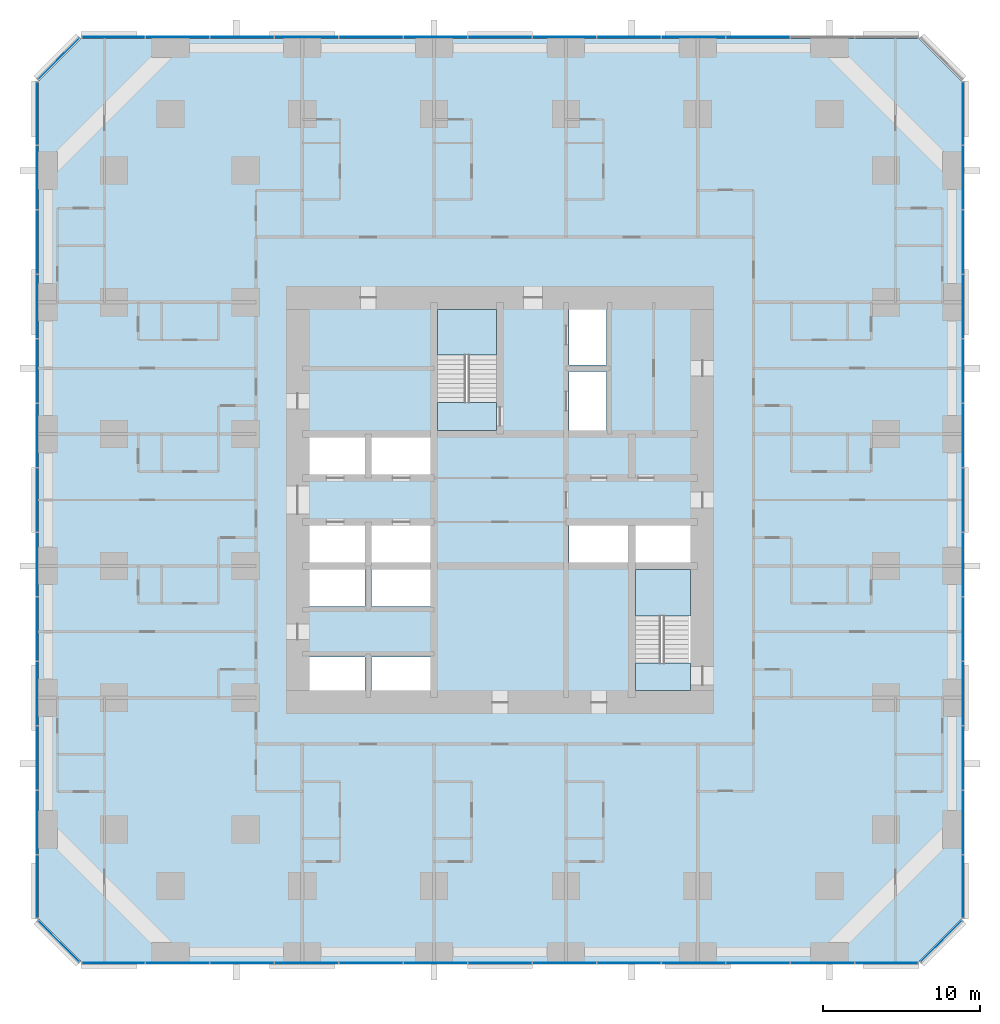
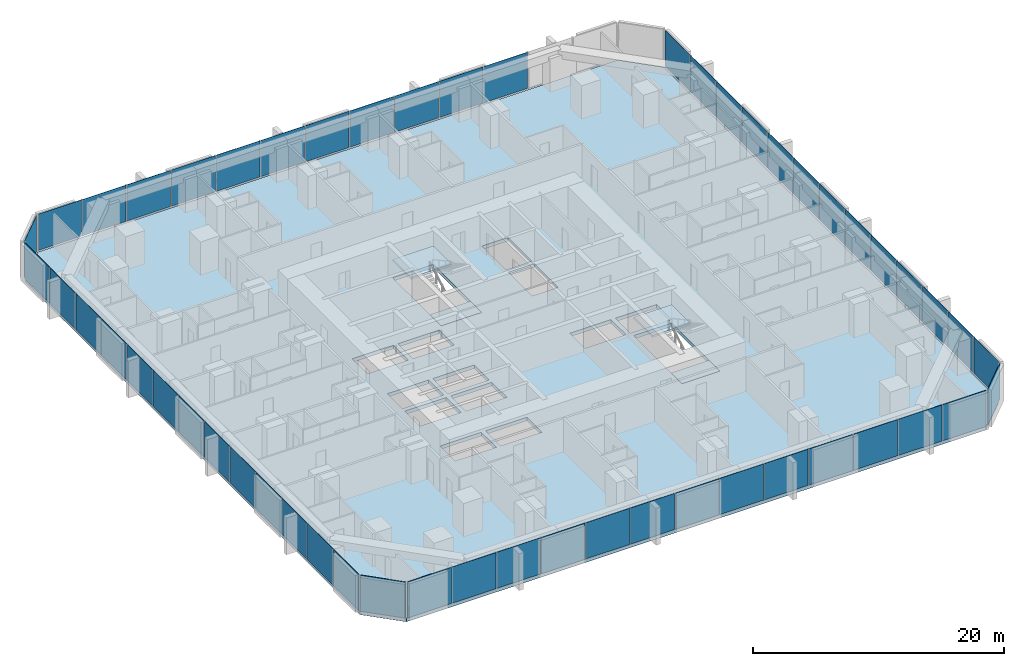
# One storey, part 9 of 17: 53 plates, 5 slabs, 9 elements without a shape of their own.
"""IFC4 building model written with IfcOpenShell, lengths in metres."""

from ifc_helpers import new_model, si_unit, direction, frame, origin, origin_2d, place, context, subcontext, project, spatial, polyline, rectangle, outline, extrude, material, layer, layer_set, type_object, element, aggregate, save


model = new_model("IFC4")

# Units and contexts
model_context = context("Model", 3, precision=1e-05, world=origin(), true_north=direction((0.0, 1.0)))
body_context = subcontext(model_context, "Body", "Model", "MODEL_VIEW")
ifc_project = project(units=[si_unit("LENGTHUNIT", "METRE"), si_unit("AREAUNIT", "SQUARE_METRE"), si_unit("VOLUMEUNIT", "CUBIC_METRE"), si_unit("PLANEANGLEUNIT", "RADIAN"), si_unit("MASSUNIT", "GRAM", prefix="KILO")], contexts=[model_context])

# Site, building, storey
site_placement = place(None, origin())
site = spatial("IfcSite", under=ifc_project, at=site_placement, CompositionType="ELEMENT")
building_placement = place(site_placement, origin())
building = spatial("IfcBuilding", under=site, at=building_placement, Name="Dunama Terrace Hotel", CompositionType="ELEMENT")
storey_placement = place(building_placement, frame((0.0, 0.0, 59.39990234375)))
storey = spatial("IfcBuildingStorey", under=building, at=storey_placement, Name="L14", CompositionType="ELEMENT", Elevation=59.39990234375)

# Curtain wall, plates
ifc_material_1 = material(Name="Aluminium curtain wall system", Category="aluminium")
curtain_wall_type = type_object("IfcCurtainWallType", Name="Unitised fritted glass wall CW-A", PredefinedType="NOTDEFINED", material=ifc_material_1)
curtain_wall_1_placement = place(storey_placement, origin())
curtain_wall_1 = element("IfcCurtainWall", 1, at=curtain_wall_1_placement, inside=storey, type_object=curtain_wall_type, Name="Unitised fritted glass wall CW-A L14", PredefinedType="NOTDEFINED")
ifc_material_2 = material(Name="Laminated glass", Category="glass")
ifc_layer_1 = layer(ifc_material_2, 0.030029296875)
ifc_layer_set_1 = layer_set([ifc_layer_1], Name="CWA clear glass panel")
plate_type_1 = type_object("IfcPlateType", Name="CWA clear glass panel", PredefinedType="CURTAIN_PANEL", material=ifc_layer_set_1)
plate_1_placement = place(storey_placement, frame((8.862060546875, -0.10009765625, 0.0751953125), z_axis=(0.0, 0.0, 1.0), x_axis=(1.0, 0.0, 0.0)))
plate_1 = element("IfcPlate", 2, at=plate_1_placement, type_object=plate_type_1, Name="CWA clear glass panel", PredefinedType="CURTAIN_PANEL", context=body_context, shape_type="SweptSolid", body=[
    extrude(rectangle(XDim=4.042724609375, YDim=0.030029296875, at=origin_2d()), origin(), (0.0, 0.0, 1.0), 3.52490234375),
])
plate_2_placement = place(storey_placement, frame((21.18505859375, -0.10009765625, 0.0751953125), z_axis=(0.0, 0.0, 1.0), x_axis=(1.0, 0.0, 0.0)))
plate_2 = element("IfcPlate", 3, at=plate_2_placement, type_object=plate_type_1, Name="CWA clear glass panel", PredefinedType="CURTAIN_PANEL", context=body_context, shape_type="SweptSolid", body=[
    extrude(rectangle(XDim=4.042724609375, YDim=0.030029296875, at=origin_2d()), origin(), (0.0, 0.0, 1.0), 3.52490234375),
])
plate_3_placement = place(storey_placement, frame((33.508056640625, -0.10009765625, 0.0751953125), z_axis=(0.0, 0.0, 1.0), x_axis=(1.0, 0.0, 0.0)))
plate_3 = element("IfcPlate", 4, at=plate_3_placement, type_object=plate_type_1, Name="CWA clear glass panel", PredefinedType="CURTAIN_PANEL", context=body_context, shape_type="SweptSolid", body=[
    extrude(rectangle(XDim=4.042724609375, YDim=0.030029296875, at=origin_2d()), origin(), (0.0, 0.0, 1.0), 3.52490234375),
])
plate_4_placement = place(storey_placement, frame((45.8310546875, -0.10009765625, 0.0751953125), z_axis=(0.0, 0.0, 1.0), x_axis=(1.0, 0.0, 0.0)))
plate_4 = element("IfcPlate", 5, at=plate_4_placement, type_object=plate_type_1, Name="CWA clear glass panel", PredefinedType="CURTAIN_PANEL", context=body_context, shape_type="SweptSolid", body=[
    extrude(rectangle(XDim=4.042724609375, YDim=0.030029296875, at=origin_2d()), origin(), (0.0, 0.0, 1.0), 3.52490234375),
])

# Curtain wall, plate
curtain_wall_2_placement = place(storey_placement, origin())
curtain_wall_2 = element("IfcCurtainWall", 6, at=curtain_wall_2_placement, inside=storey, type_object=curtain_wall_type, Name="Unitised fritted glass wall CW-A L14", PredefinedType="NOTDEFINED")
plate_5_placement = place(storey_placement, frame((57.52099609375, 1.279052734375, 0.0751953125), z_axis=(0.0, 0.0, 1.0), x_axis=(0.707106781187, 0.707106781187, 0.0)))
plate_5 = element("IfcPlate", 7, at=plate_5_placement, type_object=plate_type_1, Name="CWA clear glass panel", PredefinedType="CURTAIN_PANEL", context=body_context, shape_type="SweptSolid", body=[
    extrude(rectangle(XDim=3.6884765625, YDim=0.030029296875, at=origin_2d()), origin(), (0.0, 0.0, 1.0), 3.52490234375),
])
aggregate(curtain_wall_2, [plate_5])

# Curtain wall, plates
curtain_wall_3_placement = place(storey_placement, origin())
curtain_wall_3 = element("IfcCurtainWall", 8, at=curtain_wall_3_placement, inside=storey, type_object=curtain_wall_type, Name="Unitised fritted glass wall CW-A L14", PredefinedType="NOTDEFINED")
plate_6_placement = place(storey_placement, frame((58.89990234375, 12.968994140625, 0.0751953125), z_axis=(0.0, 0.0, 1.0), x_axis=(0.0, 1.0, 0.0)))
plate_6 = element("IfcPlate", 9, at=plate_6_placement, type_object=plate_type_1, Name="CWA clear glass panel", PredefinedType="CURTAIN_PANEL", context=body_context, shape_type="SweptSolid", body=[
    extrude(rectangle(XDim=4.042724609375, YDim=0.030029296875, at=origin_2d()), origin(), (0.0, 0.0, 1.0), 3.52490234375),
])
plate_7_placement = place(storey_placement, frame((58.89990234375, 25.2919921875, 0.0751953125), z_axis=(0.0, 0.0, 1.0), x_axis=(0.0, 1.0, 0.0)))
plate_7 = element("IfcPlate", 10, at=plate_7_placement, type_object=plate_type_1, Name="CWA clear glass panel", PredefinedType="CURTAIN_PANEL", context=body_context, shape_type="SweptSolid", body=[
    extrude(rectangle(XDim=4.042724609375, YDim=0.030029296875, at=origin_2d()), origin(), (0.0, 0.0, 1.0), 3.52490234375),
])
plate_8_placement = place(storey_placement, frame((58.89990234375, 37.614990234375, 0.0751953125), z_axis=(0.0, 0.0, 1.0), x_axis=(0.0, 1.0, 0.0)))
plate_8 = element("IfcPlate", 11, at=plate_8_placement, type_object=plate_type_1, Name="CWA clear glass panel", PredefinedType="CURTAIN_PANEL", context=body_context, shape_type="SweptSolid", body=[
    extrude(rectangle(XDim=4.042724609375, YDim=0.030029296875, at=origin_2d()), origin(), (0.0, 0.0, 1.0), 3.52490234375),
])
plate_9_placement = place(storey_placement, frame((58.89990234375, 49.93798828125, 0.0751953125), z_axis=(0.0, 0.0, 1.0), x_axis=(0.0, 1.0, 0.0)))
plate_9 = element("IfcPlate", 12, at=plate_9_placement, type_object=plate_type_1, Name="CWA clear glass panel", PredefinedType="CURTAIN_PANEL", context=body_context, shape_type="SweptSolid", body=[
    extrude(rectangle(XDim=4.042724609375, YDim=0.030029296875, at=origin_2d()), origin(), (0.0, 0.0, 1.0), 3.52490234375),
])

curtain_wall_4_placement = place(storey_placement, origin())
curtain_wall_4 = element("IfcCurtainWall", 13, at=curtain_wall_4_placement, inside=storey, type_object=curtain_wall_type, Name="Unitised fritted glass wall CW-A L14", PredefinedType="NOTDEFINED")
plate_10_placement = place(storey_placement, frame((41.722900390625, 58.89990234375, 0.0751953125), z_axis=(0.0, 0.0, 1.0), x_axis=(-1.0, 0.0, 0.0)))
plate_10 = element("IfcPlate", 14, at=plate_10_placement, type_object=plate_type_1, Name="CWA clear glass panel", PredefinedType="CURTAIN_PANEL", context=body_context, shape_type="SweptSolid", body=[
    extrude(rectangle(XDim=4.042724609375, YDim=0.030029296875, at=origin_2d()), origin(), (0.0, 0.0, 1.0), 3.52490234375),
])
plate_11_placement = place(storey_placement, frame((29.39990234375, 58.89990234375, 0.0751953125), z_axis=(0.0, 0.0, 1.0), x_axis=(-1.0, 0.0, 0.0)))
plate_11 = element("IfcPlate", 15, at=plate_11_placement, type_object=plate_type_1, Name="CWA clear glass panel", PredefinedType="CURTAIN_PANEL", context=body_context, shape_type="SweptSolid", body=[
    extrude(rectangle(XDim=4.042724609375, YDim=0.030029296875, at=origin_2d()), origin(), (0.0, 0.0, 1.0), 3.52490234375),
])
plate_12_placement = place(storey_placement, frame((17.076904296875, 58.89990234375, 0.0751953125), z_axis=(0.0, 0.0, 1.0), x_axis=(-1.0, 0.0, 0.0)))
plate_12 = element("IfcPlate", 16, at=plate_12_placement, type_object=plate_type_1, Name="CWA clear glass panel", PredefinedType="CURTAIN_PANEL", context=body_context, shape_type="SweptSolid", body=[
    extrude(rectangle(XDim=4.042724609375, YDim=0.030029296875, at=origin_2d()), origin(), (0.0, 0.0, 1.0), 3.52490234375),
])
plate_13_placement = place(storey_placement, frame((4.77001953125, 58.89990234375, 0.0751953125), z_axis=(0.0, 0.0, 1.0), x_axis=(-1.0, 0.0, 0.0)))
plate_13 = element("IfcPlate", 17, at=plate_13_placement, type_object=plate_type_1, Name="CWA clear glass panel", PredefinedType="CURTAIN_PANEL", context=body_context, shape_type="SweptSolid", body=[
    extrude(rectangle(XDim=4.01025390625, YDim=0.030029296875, at=origin_2d()), origin(), (0.0, 0.0, 1.0), 3.52490234375),
])

curtain_wall_5_placement = place(storey_placement, origin())
curtain_wall_5 = element("IfcCurtainWall", 18, at=curtain_wall_5_placement, inside=storey, type_object=curtain_wall_type, Name="Unitised fritted glass wall CW-A L14", PredefinedType="NOTDEFINED")
plate_14_placement = place(storey_placement, frame((-0.10009765625, 49.93798828125, 0.0751953125), z_axis=(0.0, 0.0, 1.0), x_axis=(0.0, -1.0, 0.0)))
plate_14 = element("IfcPlate", 19, at=plate_14_placement, type_object=plate_type_1, Name="CWA clear glass panel", PredefinedType="CURTAIN_PANEL", context=body_context, shape_type="SweptSolid", body=[
    extrude(rectangle(XDim=4.042724609375, YDim=0.030029296875, at=origin_2d()), origin(), (0.0, 0.0, 1.0), 3.52490234375),
])
plate_15_placement = place(storey_placement, frame((-0.10009765625, 37.614990234375, 0.0751953125), z_axis=(0.0, 0.0, 1.0), x_axis=(0.0, -1.0, 0.0)))
plate_15 = element("IfcPlate", 20, at=plate_15_placement, type_object=plate_type_1, Name="CWA clear glass panel", PredefinedType="CURTAIN_PANEL", context=body_context, shape_type="SweptSolid", body=[
    extrude(rectangle(XDim=4.042724609375, YDim=0.030029296875, at=origin_2d()), origin(), (0.0, 0.0, 1.0), 3.52490234375),
])
plate_16_placement = place(storey_placement, frame((-0.10009765625, 25.2919921875, 0.0751953125), z_axis=(0.0, 0.0, 1.0), x_axis=(0.0, -1.0, 0.0)))
plate_16 = element("IfcPlate", 21, at=plate_16_placement, type_object=plate_type_1, Name="CWA clear glass panel", PredefinedType="CURTAIN_PANEL", context=body_context, shape_type="SweptSolid", body=[
    extrude(rectangle(XDim=4.042724609375, YDim=0.030029296875, at=origin_2d()), origin(), (0.0, 0.0, 1.0), 3.52490234375),
])
plate_17_placement = place(storey_placement, frame((-0.10009765625, 12.968994140625, 0.0751953125), z_axis=(0.0, 0.0, 1.0), x_axis=(0.0, -1.0, 0.0)))
plate_17 = element("IfcPlate", 22, at=plate_17_placement, type_object=plate_type_1, Name="CWA clear glass panel", PredefinedType="CURTAIN_PANEL", context=body_context, shape_type="SweptSolid", body=[
    extrude(rectangle(XDim=4.042724609375, YDim=0.030029296875, at=origin_2d()), origin(), (0.0, 0.0, 1.0), 3.52490234375),
])

# Curtain wall, plate
curtain_wall_6_placement = place(storey_placement, origin())
curtain_wall_6 = element("IfcCurtainWall", 23, at=curtain_wall_6_placement, inside=storey, type_object=curtain_wall_type, Name="Unitised fritted glass wall CW-A L14", PredefinedType="NOTDEFINED")
plate_18_placement = place(storey_placement, frame((1.279052734375, 1.279052734375, 0.0751953125), z_axis=(0.0, 0.0, 1.0), x_axis=(0.707106781187, -0.707106781187, 0.0)))
plate_18 = element("IfcPlate", 24, at=plate_18_placement, type_object=plate_type_1, Name="CWA clear glass panel", PredefinedType="CURTAIN_PANEL", context=body_context, shape_type="SweptSolid", body=[
    extrude(rectangle(XDim=3.6884765625, YDim=0.030029296875, at=origin_2d()), origin(), (0.0, 0.0, 1.0), 3.52490234375),
])
aggregate(curtain_wall_6, [plate_18])

# Plate
ifc_material_3 = material(Name="Fritted laminated glass", Category="glass")
ifc_layer_2 = layer(ifc_material_3, 0.030029296875)
ifc_layer_set_2 = layer_set([ifc_layer_2], Name="CWA fritted glass panel")
plate_type_2 = type_object("IfcPlateType", Name="CWA fritted glass panel", PredefinedType="CURTAIN_PANEL", material=ifc_layer_set_2)
plate_19_placement = place(storey_placement, frame((4.77001953125, -0.10009765625, 0.0751953125), z_axis=(0.0, 0.0, 1.0), x_axis=(1.0, 0.0, 0.0)))
plate_19 = element("IfcPlate", 25, at=plate_19_placement, type_object=plate_type_2, Name="CWA fritted glass panel", PredefinedType="CURTAIN_PANEL", context=body_context, shape_type="SweptSolid", body=[
    extrude(rectangle(XDim=4.01025390625, YDim=0.030029296875, at=origin_2d()), origin(), (0.0, 0.0, 1.0), 3.52490234375),
])

plate_20_placement = place(storey_placement, frame((17.076904296875, -0.10009765625, 0.0751953125), z_axis=(0.0, 0.0, 1.0), x_axis=(1.0, 0.0, 0.0)))
plate_20 = element("IfcPlate", 26, at=plate_20_placement, type_object=plate_type_2, Name="CWA fritted glass panel", PredefinedType="CURTAIN_PANEL", context=body_context, shape_type="SweptSolid", body=[
    extrude(rectangle(XDim=4.042724609375, YDim=0.030029296875, at=origin_2d()), origin(), (0.0, 0.0, 1.0), 3.52490234375),
])

plate_21_placement = place(storey_placement, frame((29.39990234375, -0.10009765625, 0.0751953125), z_axis=(0.0, 0.0, 1.0), x_axis=(1.0, 0.0, 0.0)))
plate_21 = element("IfcPlate", 27, at=plate_21_placement, type_object=plate_type_2, Name="CWA fritted glass panel", PredefinedType="CURTAIN_PANEL", context=body_context, shape_type="SweptSolid", body=[
    extrude(rectangle(XDim=4.042724609375, YDim=0.030029296875, at=origin_2d()), origin(), (0.0, 0.0, 1.0), 3.52490234375),
])

plate_22_placement = place(storey_placement, frame((41.722900390625, -0.10009765625, 0.0751953125), z_axis=(0.0, 0.0, 1.0), x_axis=(1.0, 0.0, 0.0)))
plate_22 = element("IfcPlate", 28, at=plate_22_placement, type_object=plate_type_2, Name="CWA fritted glass panel", PredefinedType="CURTAIN_PANEL", context=body_context, shape_type="SweptSolid", body=[
    extrude(rectangle(XDim=4.042724609375, YDim=0.030029296875, at=origin_2d()), origin(), (0.0, 0.0, 1.0), 3.52490234375),
])

plate_23_placement = place(storey_placement, frame((54.030029296875, -0.10009765625, 0.0751953125), z_axis=(0.0, 0.0, 1.0), x_axis=(1.0, 0.0, 0.0)))
plate_23 = element("IfcPlate", 29, at=plate_23_placement, type_object=plate_type_2, Name="CWA fritted glass panel", PredefinedType="CURTAIN_PANEL", context=body_context, shape_type="SweptSolid", body=[
    extrude(rectangle(XDim=4.01025390625, YDim=0.030029296875, at=origin_2d()), origin(), (0.0, 0.0, 1.0), 3.52490234375),
])

plate_24_placement = place(storey_placement, frame((58.89990234375, 8.862060546875, 0.0751953125), z_axis=(0.0, 0.0, 1.0), x_axis=(0.0, 1.0, 0.0)))
plate_24 = element("IfcPlate", 30, at=plate_24_placement, type_object=plate_type_2, Name="CWA fritted glass panel", PredefinedType="CURTAIN_PANEL", context=body_context, shape_type="SweptSolid", body=[
    extrude(rectangle(XDim=4.042724609375, YDim=0.030029296875, at=origin_2d()), origin(), (0.0, 0.0, 1.0), 3.52490234375),
])

plate_25_placement = place(storey_placement, frame((58.89990234375, 21.18505859375, 0.0751953125), z_axis=(0.0, 0.0, 1.0), x_axis=(0.0, 1.0, 0.0)))
plate_25 = element("IfcPlate", 31, at=plate_25_placement, type_object=plate_type_2, Name="CWA fritted glass panel", PredefinedType="CURTAIN_PANEL", context=body_context, shape_type="SweptSolid", body=[
    extrude(rectangle(XDim=4.042724609375, YDim=0.030029296875, at=origin_2d()), origin(), (0.0, 0.0, 1.0), 3.52490234375),
])

plate_26_placement = place(storey_placement, frame((58.89990234375, 33.508056640625, 0.0751953125), z_axis=(0.0, 0.0, 1.0), x_axis=(0.0, 1.0, 0.0)))
plate_26 = element("IfcPlate", 32, at=plate_26_placement, type_object=plate_type_2, Name="CWA fritted glass panel", PredefinedType="CURTAIN_PANEL", context=body_context, shape_type="SweptSolid", body=[
    extrude(rectangle(XDim=4.042724609375, YDim=0.030029296875, at=origin_2d()), origin(), (0.0, 0.0, 1.0), 3.52490234375),
])

plate_27_placement = place(storey_placement, frame((58.89990234375, 45.8310546875, 0.0751953125), z_axis=(0.0, 0.0, 1.0), x_axis=(0.0, 1.0, 0.0)))
plate_27 = element("IfcPlate", 33, at=plate_27_placement, type_object=plate_type_2, Name="CWA fritted glass panel", PredefinedType="CURTAIN_PANEL", context=body_context, shape_type="SweptSolid", body=[
    extrude(rectangle(XDim=4.042724609375, YDim=0.030029296875, at=origin_2d()), origin(), (0.0, 0.0, 1.0), 3.52490234375),
])

plate_28_placement = place(storey_placement, frame((45.8310546875, 58.89990234375, 0.0751953125), z_axis=(0.0, 0.0, 1.0), x_axis=(-1.0, 0.0, 0.0)))
plate_28 = element("IfcPlate", 34, at=plate_28_placement, type_object=plate_type_2, Name="CWA fritted glass panel", PredefinedType="CURTAIN_PANEL", context=body_context, shape_type="SweptSolid", body=[
    extrude(rectangle(XDim=4.042724609375, YDim=0.030029296875, at=origin_2d()), origin(), (0.0, 0.0, 1.0), 3.52490234375),
])

plate_29_placement = place(storey_placement, frame((33.508056640625, 58.89990234375, 0.0751953125), z_axis=(0.0, 0.0, 1.0), x_axis=(-1.0, 0.0, 0.0)))
plate_29 = element("IfcPlate", 35, at=plate_29_placement, type_object=plate_type_2, Name="CWA fritted glass panel", PredefinedType="CURTAIN_PANEL", context=body_context, shape_type="SweptSolid", body=[
    extrude(rectangle(XDim=4.042724609375, YDim=0.030029296875, at=origin_2d()), origin(), (0.0, 0.0, 1.0), 3.52490234375),
])

plate_30_placement = place(storey_placement, frame((21.18505859375, 58.89990234375, 0.0751953125), z_axis=(0.0, 0.0, 1.0), x_axis=(-1.0, 0.0, 0.0)))
plate_30 = element("IfcPlate", 36, at=plate_30_placement, type_object=plate_type_2, Name="CWA fritted glass panel", PredefinedType="CURTAIN_PANEL", context=body_context, shape_type="SweptSolid", body=[
    extrude(rectangle(XDim=4.042724609375, YDim=0.030029296875, at=origin_2d()), origin(), (0.0, 0.0, 1.0), 3.52490234375),
])

plate_31_placement = place(storey_placement, frame((8.862060546875, 58.89990234375, 0.0751953125), z_axis=(0.0, 0.0, 1.0), x_axis=(-1.0, 0.0, 0.0)))
plate_31 = element("IfcPlate", 37, at=plate_31_placement, type_object=plate_type_2, Name="CWA fritted glass panel", PredefinedType="CURTAIN_PANEL", context=body_context, shape_type="SweptSolid", body=[
    extrude(rectangle(XDim=4.042724609375, YDim=0.030029296875, at=origin_2d()), origin(), (0.0, 0.0, 1.0), 3.52490234375),
])

plate_32_placement = place(storey_placement, frame((-0.10009765625, 54.030029296875, 0.0751953125), z_axis=(0.0, 0.0, 1.0), x_axis=(0.0, -1.0, 0.0)))
plate_32 = element("IfcPlate", 38, at=plate_32_placement, type_object=plate_type_2, Name="CWA fritted glass panel", PredefinedType="CURTAIN_PANEL", context=body_context, shape_type="SweptSolid", body=[
    extrude(rectangle(XDim=4.01025390625, YDim=0.030029296875, at=origin_2d()), origin(), (0.0, 0.0, 1.0), 3.52490234375),
])

plate_33_placement = place(storey_placement, frame((-0.10009765625, 41.722900390625, 0.0751953125), z_axis=(0.0, 0.0, 1.0), x_axis=(0.0, -1.0, 0.0)))
plate_33 = element("IfcPlate", 39, at=plate_33_placement, type_object=plate_type_2, Name="CWA fritted glass panel", PredefinedType="CURTAIN_PANEL", context=body_context, shape_type="SweptSolid", body=[
    extrude(rectangle(XDim=4.042724609375, YDim=0.030029296875, at=origin_2d()), origin(), (0.0, 0.0, 1.0), 3.52490234375),
])

plate_34_placement = place(storey_placement, frame((-0.10009765625, 29.39990234375, 0.0751953125), z_axis=(0.0, 0.0, 1.0), x_axis=(0.0, -1.0, 0.0)))
plate_34 = element("IfcPlate", 40, at=plate_34_placement, type_object=plate_type_2, Name="CWA fritted glass panel", PredefinedType="CURTAIN_PANEL", context=body_context, shape_type="SweptSolid", body=[
    extrude(rectangle(XDim=4.042724609375, YDim=0.030029296875, at=origin_2d()), origin(), (0.0, 0.0, 1.0), 3.52490234375),
])

plate_35_placement = place(storey_placement, frame((-0.10009765625, 17.076904296875, 0.0751953125), z_axis=(0.0, 0.0, 1.0), x_axis=(0.0, -1.0, 0.0)))
plate_35 = element("IfcPlate", 41, at=plate_35_placement, type_object=plate_type_2, Name="CWA fritted glass panel", PredefinedType="CURTAIN_PANEL", context=body_context, shape_type="SweptSolid", body=[
    extrude(rectangle(XDim=4.042724609375, YDim=0.030029296875, at=origin_2d()), origin(), (0.0, 0.0, 1.0), 3.52490234375),
])

plate_36_placement = place(storey_placement, frame((-0.10009765625, 4.77001953125, 0.0751953125), z_axis=(0.0, 0.0, 1.0), x_axis=(0.0, -1.0, 0.0)))
plate_36 = element("IfcPlate", 42, at=plate_36_placement, type_object=plate_type_2, Name="CWA fritted glass panel", PredefinedType="CURTAIN_PANEL", context=body_context, shape_type="SweptSolid", body=[
    extrude(rectangle(XDim=4.01025390625, YDim=0.030029296875, at=origin_2d()), origin(), (0.0, 0.0, 1.0), 3.52490234375),
])

ifc_material_4 = material(Name="Laminated glass", Category="glass")
ifc_layer_3 = layer(ifc_material_4, 0.030029296875)
ifc_layer_set_3 = layer_set([ifc_layer_3], Name="CWA operable glass panel")
plate_type_3 = type_object("IfcPlateType", Name="CWA operable glass panel", PredefinedType="CURTAIN_PANEL", material=ifc_layer_set_3)
plate_37_placement = place(storey_placement, frame((12.968994140625, -0.10009765625, 0.0751953125), z_axis=(0.0, 0.0, 1.0), x_axis=(1.0, 0.0, 0.0)))
plate_37 = element("IfcPlate", 43, at=plate_37_placement, type_object=plate_type_3, Name="CWA operable glass panel", PredefinedType="CURTAIN_PANEL", context=body_context, shape_type="SweptSolid", body=[
    extrude(rectangle(XDim=4.042724609375, YDim=0.030029296875, at=origin_2d()), origin(), (0.0, 0.0, 1.0), 3.52490234375),
])

plate_38_placement = place(storey_placement, frame((25.2919921875, -0.10009765625, 0.0751953125), z_axis=(0.0, 0.0, 1.0), x_axis=(1.0, 0.0, 0.0)))
plate_38 = element("IfcPlate", 44, at=plate_38_placement, type_object=plate_type_3, Name="CWA operable glass panel", PredefinedType="CURTAIN_PANEL", context=body_context, shape_type="SweptSolid", body=[
    extrude(rectangle(XDim=4.042724609375, YDim=0.030029296875, at=origin_2d()), origin(), (0.0, 0.0, 1.0), 3.52490234375),
])

plate_39_placement = place(storey_placement, frame((37.614990234375, -0.10009765625, 0.0751953125), z_axis=(0.0, 0.0, 1.0), x_axis=(1.0, 0.0, 0.0)))
plate_39 = element("IfcPlate", 45, at=plate_39_placement, type_object=plate_type_3, Name="CWA operable glass panel", PredefinedType="CURTAIN_PANEL", context=body_context, shape_type="SweptSolid", body=[
    extrude(rectangle(XDim=4.042724609375, YDim=0.030029296875, at=origin_2d()), origin(), (0.0, 0.0, 1.0), 3.52490234375),
])

plate_40_placement = place(storey_placement, frame((49.93798828125, -0.10009765625, 0.0751953125), z_axis=(0.0, 0.0, 1.0), x_axis=(1.0, 0.0, 0.0)))
plate_40 = element("IfcPlate", 46, at=plate_40_placement, type_object=plate_type_3, Name="CWA operable glass panel", PredefinedType="CURTAIN_PANEL", context=body_context, shape_type="SweptSolid", body=[
    extrude(rectangle(XDim=4.042724609375, YDim=0.030029296875, at=origin_2d()), origin(), (0.0, 0.0, 1.0), 3.52490234375),
])

aggregate(curtain_wall_1, [plate_19, plate_1, plate_37, plate_20, plate_2, plate_38, plate_21, plate_3, plate_39, plate_22, plate_4, plate_40, plate_23])

plate_41_placement = place(storey_placement, frame((58.89990234375, 4.77001953125, 0.0751953125), z_axis=(0.0, 0.0, 1.0), x_axis=(0.0, 1.0, 0.0)))
plate_41 = element("IfcPlate", 47, at=plate_41_placement, type_object=plate_type_3, Name="CWA operable glass panel", PredefinedType="CURTAIN_PANEL", context=body_context, shape_type="SweptSolid", body=[
    extrude(rectangle(XDim=4.01025390625, YDim=0.030029296875, at=origin_2d()), origin(), (0.0, 0.0, 1.0), 3.52490234375),
])

plate_42_placement = place(storey_placement, frame((58.89990234375, 17.076904296875, 0.0751953125), z_axis=(0.0, 0.0, 1.0), x_axis=(0.0, 1.0, 0.0)))
plate_42 = element("IfcPlate", 48, at=plate_42_placement, type_object=plate_type_3, Name="CWA operable glass panel", PredefinedType="CURTAIN_PANEL", context=body_context, shape_type="SweptSolid", body=[
    extrude(rectangle(XDim=4.042724609375, YDim=0.030029296875, at=origin_2d()), origin(), (0.0, 0.0, 1.0), 3.52490234375),
])

plate_43_placement = place(storey_placement, frame((58.89990234375, 29.39990234375, 0.0751953125), z_axis=(0.0, 0.0, 1.0), x_axis=(0.0, 1.0, 0.0)))
plate_43 = element("IfcPlate", 49, at=plate_43_placement, type_object=plate_type_3, Name="CWA operable glass panel", PredefinedType="CURTAIN_PANEL", context=body_context, shape_type="SweptSolid", body=[
    extrude(rectangle(XDim=4.042724609375, YDim=0.030029296875, at=origin_2d()), origin(), (0.0, 0.0, 1.0), 3.52490234375),
])

plate_44_placement = place(storey_placement, frame((58.89990234375, 41.722900390625, 0.0751953125), z_axis=(0.0, 0.0, 1.0), x_axis=(0.0, 1.0, 0.0)))
plate_44 = element("IfcPlate", 50, at=plate_44_placement, type_object=plate_type_3, Name="CWA operable glass panel", PredefinedType="CURTAIN_PANEL", context=body_context, shape_type="SweptSolid", body=[
    extrude(rectangle(XDim=4.042724609375, YDim=0.030029296875, at=origin_2d()), origin(), (0.0, 0.0, 1.0), 3.52490234375),
])

plate_45_placement = place(storey_placement, frame((58.89990234375, 54.030029296875, 0.0751953125), z_axis=(0.0, 0.0, 1.0), x_axis=(0.0, 1.0, 0.0)))
plate_45 = element("IfcPlate", 51, at=plate_45_placement, type_object=plate_type_3, Name="CWA operable glass panel", PredefinedType="CURTAIN_PANEL", context=body_context, shape_type="SweptSolid", body=[
    extrude(rectangle(XDim=4.01025390625, YDim=0.030029296875, at=origin_2d()), origin(), (0.0, 0.0, 1.0), 3.52490234375),
])

aggregate(curtain_wall_3, [plate_41, plate_24, plate_6, plate_42, plate_25, plate_7, plate_43, plate_26, plate_8, plate_44, plate_27, plate_9, plate_45])

plate_46_placement = place(storey_placement, frame((37.614990234375, 58.89990234375, 0.0751953125), z_axis=(0.0, 0.0, 1.0), x_axis=(-1.0, 0.0, 0.0)))
plate_46 = element("IfcPlate", 52, at=plate_46_placement, type_object=plate_type_3, Name="CWA operable glass panel", PredefinedType="CURTAIN_PANEL", context=body_context, shape_type="SweptSolid", body=[
    extrude(rectangle(XDim=4.042724609375, YDim=0.030029296875, at=origin_2d()), origin(), (0.0, 0.0, 1.0), 3.52490234375),
])

plate_47_placement = place(storey_placement, frame((25.2919921875, 58.89990234375, 0.0751953125), z_axis=(0.0, 0.0, 1.0), x_axis=(-1.0, 0.0, 0.0)))
plate_47 = element("IfcPlate", 53, at=plate_47_placement, type_object=plate_type_3, Name="CWA operable glass panel", PredefinedType="CURTAIN_PANEL", context=body_context, shape_type="SweptSolid", body=[
    extrude(rectangle(XDim=4.042724609375, YDim=0.030029296875, at=origin_2d()), origin(), (0.0, 0.0, 1.0), 3.52490234375),
])

plate_48_placement = place(storey_placement, frame((12.968994140625, 58.89990234375, 0.0751953125), z_axis=(0.0, 0.0, 1.0), x_axis=(-1.0, 0.0, 0.0)))
plate_48 = element("IfcPlate", 54, at=plate_48_placement, type_object=plate_type_3, Name="CWA operable glass panel", PredefinedType="CURTAIN_PANEL", context=body_context, shape_type="SweptSolid", body=[
    extrude(rectangle(XDim=4.042724609375, YDim=0.030029296875, at=origin_2d()), origin(), (0.0, 0.0, 1.0), 3.52490234375),
])

aggregate(curtain_wall_4, [plate_28, plate_10, plate_46, plate_29, plate_11, plate_47, plate_30, plate_12, plate_48, plate_31, plate_13])

# Curtain wall, plate
curtain_wall_7_placement = place(storey_placement, origin())
curtain_wall_7 = element("IfcCurtainWall", 55, at=curtain_wall_7_placement, inside=storey, type_object=curtain_wall_type, Name="Unitised fritted glass wall CW-A L14", PredefinedType="NOTDEFINED")
plate_49_placement = place(storey_placement, frame((1.279052734375, 57.52099609375, 0.0751953125), z_axis=(0.0, 0.0, 1.0), x_axis=(-0.707106781187, -0.707106781187, 0.0)))
plate_49 = element("IfcPlate", 56, at=plate_49_placement, type_object=plate_type_3, Name="CWA operable glass panel", PredefinedType="CURTAIN_PANEL", context=body_context, shape_type="SweptSolid", body=[
    extrude(rectangle(XDim=3.6884765625, YDim=0.030029296875, at=origin_2d()), origin(), (0.0, 0.0, 1.0), 3.52490234375),
])
aggregate(curtain_wall_7, [plate_49])

# Plate
plate_50_placement = place(storey_placement, frame((-0.10009765625, 45.8310546875, 0.0751953125), z_axis=(0.0, 0.0, 1.0), x_axis=(0.0, -1.0, 0.0)))
plate_50 = element("IfcPlate", 57, at=plate_50_placement, type_object=plate_type_3, Name="CWA operable glass panel", PredefinedType="CURTAIN_PANEL", context=body_context, shape_type="SweptSolid", body=[
    extrude(rectangle(XDim=4.042724609375, YDim=0.030029296875, at=origin_2d()), origin(), (0.0, 0.0, 1.0), 3.52490234375),
])

plate_51_placement = place(storey_placement, frame((-0.10009765625, 33.508056640625, 0.0751953125), z_axis=(0.0, 0.0, 1.0), x_axis=(0.0, -1.0, 0.0)))
plate_51 = element("IfcPlate", 58, at=plate_51_placement, type_object=plate_type_3, Name="CWA operable glass panel", PredefinedType="CURTAIN_PANEL", context=body_context, shape_type="SweptSolid", body=[
    extrude(rectangle(XDim=4.042724609375, YDim=0.030029296875, at=origin_2d()), origin(), (0.0, 0.0, 1.0), 3.52490234375),
])

plate_52_placement = place(storey_placement, frame((-0.10009765625, 21.18505859375, 0.0751953125), z_axis=(0.0, 0.0, 1.0), x_axis=(0.0, -1.0, 0.0)))
plate_52 = element("IfcPlate", 59, at=plate_52_placement, type_object=plate_type_3, Name="CWA operable glass panel", PredefinedType="CURTAIN_PANEL", context=body_context, shape_type="SweptSolid", body=[
    extrude(rectangle(XDim=4.042724609375, YDim=0.030029296875, at=origin_2d()), origin(), (0.0, 0.0, 1.0), 3.52490234375),
])

plate_53_placement = place(storey_placement, frame((-0.10009765625, 8.862060546875, 0.0751953125), z_axis=(0.0, 0.0, 1.0), x_axis=(0.0, -1.0, 0.0)))
plate_53 = element("IfcPlate", 60, at=plate_53_placement, type_object=plate_type_3, Name="CWA operable glass panel", PredefinedType="CURTAIN_PANEL", context=body_context, shape_type="SweptSolid", body=[
    extrude(rectangle(XDim=4.042724609375, YDim=0.030029296875, at=origin_2d()), origin(), (0.0, 0.0, 1.0), 3.52490234375),
])

aggregate(curtain_wall_5, [plate_32, plate_14, plate_50, plate_33, plate_15, plate_51, plate_34, plate_16, plate_52, plate_35, plate_17, plate_53, plate_36])

# Slab
ifc_material_5 = material(Name="Concrete C40/50", Category="concrete")
ifc_layer_4 = layer(ifc_material_5, 0.35009765625)
ifc_layer_set_4 = layer_set([ifc_layer_4], Name="Flat plate 350")
slab_type_1 = type_object("IfcSlabType", Name="Flat plate 350", PredefinedType="FLOOR", material=ifc_layer_set_4)
slab_1_placement = place(storey_placement, frame((0.0, 0.0, -0.349853515625)))
element("IfcSlab", 61, at=slab_1_placement, inside=storey, type_object=slab_type_1, Name="Floor slab L14", PredefinedType="FLOOR", context=body_context, shape_type="SweptSolid", body=[
    extrude(outline(polyline([(2.699951171875, 0.0), (56.10009765625, 0.0), (58.800048828125, 2.699951171875), (58.800048828125, 56.10009765625), (56.10009765625, 58.800048828125), (2.699951171875, 58.800048828125), (0.0, 56.10009765625), (0.0, 2.699951171875), (2.699951171875, 0.0)]), holes=[polyline([(20.800048828125, 25.39990234375), (20.800048828125, 27.800048828125), (17.0, 27.800048828125), (17.0, 25.39990234375), (20.800048828125, 25.39990234375)]), polyline([(25.0, 25.39990234375), (25.0, 27.800048828125), (21.199951171875, 27.800048828125), (21.199951171875, 25.39990234375), (25.0, 25.39990234375)]), polyline([(20.800048828125, 31.0), (20.800048828125, 33.39990234375), (17.0, 33.39990234375), (17.0, 31.0), (20.800048828125, 31.0)]), polyline([(25.0, 31.0), (25.0, 33.39990234375), (21.199951171875, 33.39990234375), (21.199951171875, 31.0), (25.0, 31.0)]), polyline([(37.60009765625, 25.39990234375), (37.60009765625, 27.800048828125), (33.800048828125, 27.800048828125), (33.800048828125, 25.39990234375), (37.60009765625, 25.39990234375)]), polyline([(41.800048828125, 25.39990234375), (41.800048828125, 27.800048828125), (38.0, 27.800048828125), (38.0, 25.39990234375), (41.800048828125, 25.39990234375)]), polyline([(20.800048828125, 17.0), (20.800048828125, 19.39990234375), (17.0, 19.39990234375), (17.0, 17.0), (20.800048828125, 17.0)]), polyline([(25.0, 17.0), (25.0, 19.39990234375), (21.199951171875, 19.39990234375), (21.199951171875, 17.0), (25.0, 17.0)]), polyline([(20.800048828125, 22.60009765625), (20.800048828125, 25.0), (17.0, 25.0), (17.0, 22.60009765625), (20.800048828125, 22.60009765625)]), polyline([(25.0, 22.60009765625), (25.0, 25.0), (21.199951171875, 25.0), (21.199951171875, 22.60009765625), (25.0, 22.60009765625)]), polyline([(36.199951171875, 38.0), (36.199951171875, 41.800048828125), (33.800048828125, 41.800048828125), (33.800048828125, 38.0), (36.199951171875, 38.0)]), polyline([(36.199951171875, 33.800048828125), (36.199951171875, 37.60009765625), (33.800048828125, 37.60009765625), (33.800048828125, 33.800048828125), (36.199951171875, 33.800048828125)]), polyline([(29.175048828125, 33.824951171875), (29.175048828125, 41.550048828125), (25.425048828125, 41.550048828125), (25.425048828125, 33.824951171875), (29.175048828125, 33.824951171875)]), polyline([(41.550048828125, 17.25), (41.550048828125, 24.97509765625), (38.050048828125, 24.97509765625), (38.050048828125, 17.25), (41.550048828125, 17.25)])]), origin(), (0.0, 0.0, 1.0), 0.349853515625),
])

# Stair, slabs
ifc_material_6 = material(Name="Concrete C40/50", Category="concrete")
stair_type_1 = type_object("IfcStairType", Name="Stair ST1-3600-1800", PredefinedType="HALF_TURN_STAIR", material=ifc_material_6)
stair_1_placement = place(storey_placement, origin())
stair_1 = element("IfcStair", 62, at=stair_1_placement, inside=storey, type_object=stair_type_1, Name="Stair ST1 L14", PredefinedType="HALF_TURN_STAIR")
ifc_material_7 = material(Name="Concrete C40/50", Category="concrete")
ifc_layer_5 = layer(ifc_material_7, 0.199951171875)
ifc_layer_set_5 = layer_set([ifc_layer_5], Name="Stair landing 200")
slab_type_2 = type_object("IfcSlabType", Name="Stair landing 200", PredefinedType="LANDING", material=ifc_layer_set_5)
slab_2_placement = place(storey_placement, frame((0.0, 0.0, -0.199951171875)))
slab_2 = element("IfcSlab", 63, at=slab_2_placement, type_object=slab_type_2, Name="ST1 landing 1, type S10", PredefinedType="LANDING", context=body_context, shape_type="SweptSolid", body=[
    extrude(outline(polyline([(25.425048828125, 33.824951171875), (29.175048828125, 33.824951171875), (29.175048828125, 35.625), (25.425048828125, 35.625), (25.425048828125, 33.824951171875)])), origin(), (0.0, 0.0, 1.0), 0.199951171875),
])
slab_3_placement = place(storey_placement, frame((0.0, 0.0, 1.60009765625)))
slab_3 = element("IfcSlab", 64, at=slab_3_placement, type_object=slab_type_2, Name="ST1 landing 2, type S10", PredefinedType="LANDING", context=body_context, shape_type="SweptSolid", body=[
    extrude(outline(polyline([(25.425048828125, 38.625), (29.175048828125, 38.625), (29.175048828125, 41.550048828125), (25.425048828125, 41.550048828125), (25.425048828125, 38.625)])), origin(), (0.0, 0.0, 1.0), 0.199951171875),
])
aggregate(stair_1, [slab_2, slab_3])

ifc_material_8 = material(Name="Concrete C40/50", Category="concrete")
stair_type_2 = type_object("IfcStairType", Name="Stair ST2-3600-1600", PredefinedType="HALF_TURN_STAIR", material=ifc_material_8)
stair_2_placement = place(storey_placement, origin())
stair_2 = element("IfcStair", 65, at=stair_2_placement, inside=storey, type_object=stair_type_2, Name="Stair ST2 L14", PredefinedType="HALF_TURN_STAIR")
slab_4_placement = place(storey_placement, frame((0.0, 0.0, -0.199951171875)))
slab_4 = element("IfcSlab", 66, at=slab_4_placement, type_object=slab_type_2, Name="ST2 landing 1, type S10", PredefinedType="LANDING", context=body_context, shape_type="SweptSolid", body=[
    extrude(outline(polyline([(38.050048828125, 17.25), (41.550048828125, 17.25), (41.550048828125, 19.0), (38.050048828125, 19.0), (38.050048828125, 17.25)])), origin(), (0.0, 0.0, 1.0), 0.199951171875),
])
slab_5_placement = place(storey_placement, frame((0.0, 0.0, 1.60009765625)))
slab_5 = element("IfcSlab", 67, at=slab_5_placement, type_object=slab_type_2, Name="ST2 landing 2, type S10", PredefinedType="LANDING", context=body_context, shape_type="SweptSolid", body=[
    extrude(outline(polyline([(38.050048828125, 22.0), (41.550048828125, 22.0), (41.550048828125, 24.97509765625), (38.050048828125, 24.97509765625), (38.050048828125, 22.0)])), origin(), (0.0, 0.0, 1.0), 0.199951171875),
])
aggregate(stair_2, [slab_4, slab_5])

save(model, "model.ifc")
